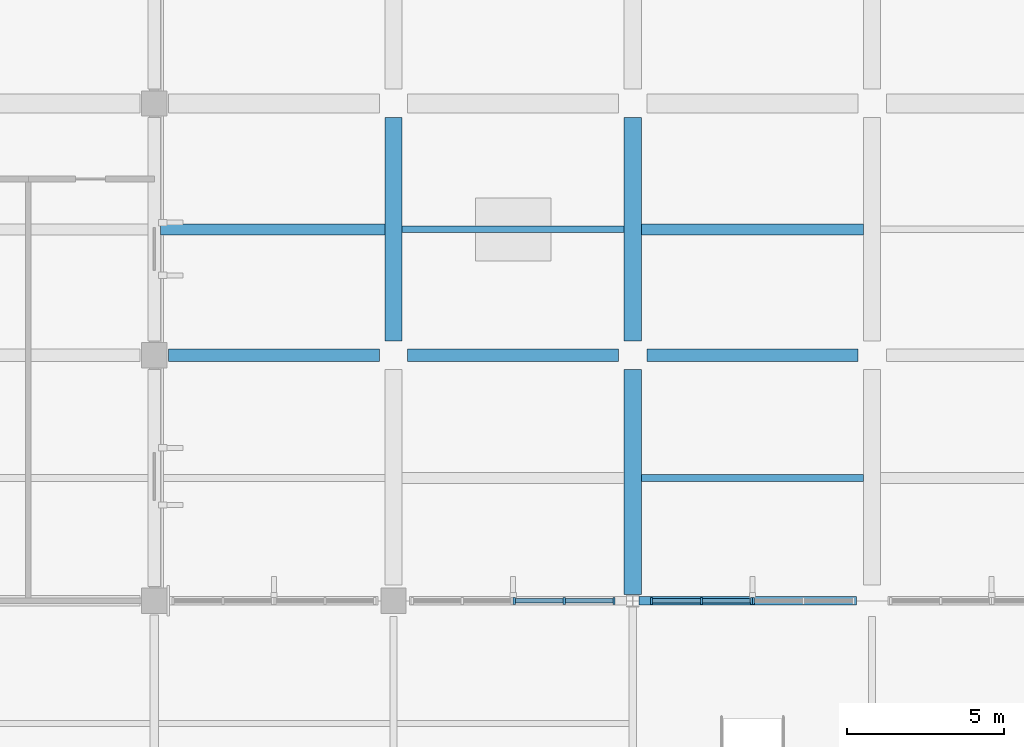
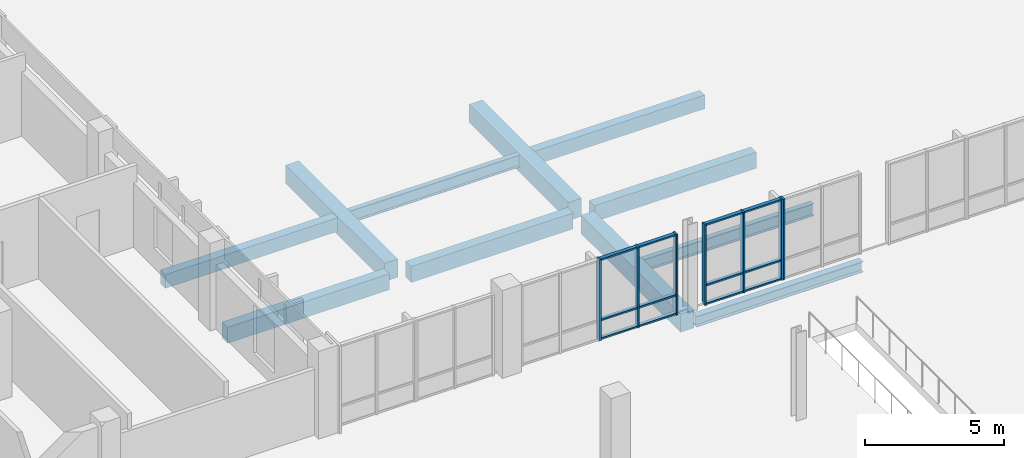
# One storey, part 36 of 85: 19 members, 11 beams, 3 elements without a shape of their own.
"""IFC4 building model written with IfcOpenShell, lengths in metres."""

from ifc_helpers import new_model, si_unit, direction, frame, origin, origin_2d, place, context, subcontext, project, spatial, rectangle, i_section, extrude, material, material_profile, profile_set, type_object, element, aggregate, save


model = new_model("IFC4")

# Units and contexts
model_context = context("Model", 3, precision=1e-05, world=origin(), true_north=direction((0.0, 1.0)))
body_context = subcontext(model_context, "Body", "Model", "MODEL_VIEW")
ifc_project = project(units=[si_unit("LENGTHUNIT", "METRE"), si_unit("AREAUNIT", "SQUARE_METRE"), si_unit("VOLUMEUNIT", "CUBIC_METRE"), si_unit("PLANEANGLEUNIT", "RADIAN"), si_unit("MASSUNIT", "GRAM", prefix="KILO")], contexts=[model_context])

# Site, building, storey
site_placement = place(None, origin())
site = spatial("IfcSite", under=ifc_project, at=site_placement, CompositionType="ELEMENT")
building_placement = place(site_placement, origin())
building = spatial("IfcBuilding", under=site, at=building_placement, Name="Vervanel Yard Central Library", CompositionType="ELEMENT")
storey_placement = place(building_placement, frame((0.0, 0.0, 5.10009765625)))
storey = spatial("IfcBuildingStorey", under=building, at=storey_placement, Name="L01", CompositionType="ELEMENT", Elevation=5.10009765625)

# Beams
ifc_material_1 = material(Name="Concrete C40/50", Category="concrete")
ifc_material_profile_1 = material_profile(ifc_material_1, rectangle(XDim=0.39990234375, YDim=0.699951171875, at=origin_2d()), Name="RC 400x700", Category="concrete")
ifc_profile_set_1 = profile_set([ifc_material_profile_1], Name="Concrete C40/50")
beam_type_1 = type_object("IfcBeamType", Name="Concrete Perimeter Spandrel 400x700", PredefinedType="SPANDREL", material=ifc_profile_set_1)
for number, where, z_axis, x_axis, name in (
    (1, (108.449951171875, 90.0, -0.60498046875), (1.0, 0.0, 0.0), (0.0, 1.0, 0.0), "L01 Girder SP-01 Y=90.0 X=108.0-115.6"),
    (2, (116.050048828125, 90.0, -0.60498046875), (1.0, 0.0, 0.0), (0.0, 1.0, 0.0), "L01 Girder SP-01 Y=90.0 X=115.6-123.2"),
):
    element("IfcBeam", number, at=place(storey_placement, frame(where, z_axis=z_axis, x_axis=x_axis)), inside=storey, type_object=beam_type_1, Name=name, PredefinedType="SPANDREL", context=body_context, shape_type="SweptSolid", body=[
        extrude(rectangle(XDim=0.39990234375, YDim=0.699951171875, at=origin_2d()), origin(), (0.0, 0.0, 1.0), 6.699951171875),
    ])
beam_1_placement = place(storey_placement, frame((123.64990234375, 90.0, -0.60498046875), z_axis=(1.0, 0.0, 0.0), x_axis=(0.0, 1.0, 0.0)))
element("IfcBeam", 3, at=beam_1_placement, inside=storey, type_object=beam_type_1, Name="L01 Girder SP-01 Y=90.0 X=123.2-130.8", PredefinedType="SPANDREL", context=body_context, shape_type="SweptSolid", body=[
    extrude(rectangle(XDim=0.39990234375, YDim=0.699951171875, at=origin_2d()), origin(), (0.0, 0.0, 1.0), 6.7001953125),
])
ifc_material_profile_2 = material_profile(ifc_material_1, rectangle(XDim=0.550048828125, YDim=0.800048828125, at=origin_2d()), Name="RC 550x800", Category="concrete")
ifc_profile_set_2 = profile_set([ifc_material_profile_2], Name="Concrete C40/50")
beam_type_2 = type_object("IfcBeamType", Name="Concrete Primary Girder 550x800", PredefinedType="BEAM", material=ifc_profile_set_2)
beam_2_placement = place(storey_placement, frame((115.60009765625, 90.449951171875, -0.655029296875), z_axis=(0.0, 1.0, 0.0), x_axis=(-1.0, 0.0, 0.0)))
element("IfcBeam", 4, at=beam_2_placement, inside=storey, type_object=beam_type_2, Name="L01 Girder CB-02 X=115.6 Y=90.0-98.0", PredefinedType="BEAM", context=body_context, shape_type="SweptSolid", body=[
    extrude(rectangle(XDim=0.550048828125, YDim=0.800048828125, at=origin_2d()), origin(), (0.0, 0.0, 1.0), 7.10009765625),
])
beam_3_placement = place(storey_placement, frame((123.199951171875, 82.3994140625, -0.655029296875), z_axis=(0.0, 1.0, 0.0), x_axis=(-1.0, 0.0, 0.0)))
element("IfcBeam", 5, at=beam_3_placement, inside=storey, type_object=beam_type_2, Name="L01 Girder CB-02 X=123.2 Y=82.2-90.0", PredefinedType="BEAM", context=body_context, shape_type="SweptSolid", body=[
    extrude(rectangle(XDim=0.550048828125, YDim=0.800048828125, at=origin_2d()), origin(), (0.0, 0.0, 1.0), 7.150634765625),
])
beam_4_placement = place(storey_placement, frame((123.199951171875, 90.449951171875, -0.655029296875), z_axis=(0.0, 1.0, 0.0), x_axis=(-1.0, 0.0, 0.0)))
element("IfcBeam", 6, at=beam_4_placement, inside=storey, type_object=beam_type_2, Name="L01 Girder CB-02 X=123.2 Y=90.0-98.0", PredefinedType="BEAM", context=body_context, shape_type="SweptSolid", body=[
    extrude(rectangle(XDim=0.550048828125, YDim=0.800048828125, at=origin_2d()), origin(), (0.0, 0.0, 1.0), 7.10009765625),
])
ifc_material_profile_3 = material_profile(ifc_material_1, rectangle(XDim=0.35009765625, YDim=0.60009765625, at=origin_2d()), Name="RC 350x600", Category="concrete")
ifc_profile_set_3 = profile_set([ifc_material_profile_3], Name="Concrete C40/50")
beam_type_3 = type_object("IfcBeamType", Name="Concrete Secondary Joist 350x600", PredefinedType="JOIST", material=ifc_profile_set_3)
beam_5_placement = place(storey_placement, frame((108.199951171875, 94.0, -0.60498046875), z_axis=(1.0, 0.0, 0.0), x_axis=(0.0, 1.0, 0.0)))
element("IfcBeam", 7, at=beam_5_placement, inside=storey, type_object=beam_type_3, Name="L01 Floor Joist CJ-01 Y=94.00 X=108.0-115.6", PredefinedType="JOIST", context=body_context, shape_type="SweptSolid", body=[
    extrude(rectangle(XDim=0.35009765625, YDim=0.60009765625, at=origin_2d()), origin(), (0.0, 0.0, 1.0), 7.125),
])
beam_6_placement = place(storey_placement, frame((123.47509765625, 94.0, -0.55517578125), z_axis=(1.0, 0.0, 0.0), x_axis=(0.0, 1.0, 0.0)))
element("IfcBeam", 8, at=beam_6_placement, inside=storey, type_object=beam_type_3, Name="L01 Floor Joist CJ-01 Y=94.00 X=123.2-130.8", PredefinedType="JOIST", context=body_context, shape_type="SweptSolid", body=[
    extrude(rectangle(XDim=0.35009765625, YDim=0.60009765625, at=origin_2d()), origin(), (0.0, 0.0, 1.0), 7.0498046875),
])

# Curtain wall, members
ifc_material_2 = material(Name="Thermally broken anodized aluminium 6063-T6", Category="aluminium")
curtain_wall_type = type_object("IfcCurtainWallType", Name="Reading Hall Full-Height Curtain Wall", PredefinedType="NOTDEFINED", material=ifc_material_2)
curtain_wall_1_placement = place(storey_placement, origin())
curtain_wall_1 = element("IfcCurtainWall", 9, at=curtain_wall_1_placement, inside=storey, type_object=curtain_wall_type, Name="L01 Reading Hall Full-Height Curtain Wall CWR-L01-089", PredefinedType="NOTDEFINED")
ifc_material_profile_4 = material_profile(ifc_material_2, rectangle(XDim=0.070068359375, YDim=0.219970703125, at=origin_2d()), Name="ALU 70x220", Category="aluminium")
ifc_profile_set_4 = profile_set([ifc_material_profile_4], Name="Thermally broken anodized aluminium 6063-T6")
member_type_1 = type_object("IfcMemberType", Name="Reading Hall Deep Mullion 70x220", PredefinedType="MULLION", material=ifc_profile_set_4)
member_1_placement = place(storey_placement, frame((119.43505859375, 82.199951171875, 0.0), z_axis=(0.0, 0.0, 1.0), x_axis=(1.0, 0.0, 0.0)))
member_1 = element("IfcMember", 10, at=member_1_placement, type_object=member_type_1, Name="CWR-L01-089 Mullion 1", PredefinedType="MULLION", context=body_context, shape_type="SweptSolid", body=[
    extrude(rectangle(XDim=0.070068359375, YDim=0.219970703125, at=origin_2d()), origin(), (0.0, 0.0, 1.0), 3.52978515625),
])
member_2_placement = place(storey_placement, frame((121.02001953125, 82.199951171875, 0.0), z_axis=(0.0, 0.0, 1.0), x_axis=(1.0, 0.0, 0.0)))
member_2 = element("IfcMember", 11, at=member_2_placement, type_object=member_type_1, Name="CWR-L01-089 Mullion 2", PredefinedType="MULLION", context=body_context, shape_type="SweptSolid", body=[
    extrude(rectangle(XDim=0.070068359375, YDim=0.219970703125, at=origin_2d()), origin(), (0.0, 0.0, 1.0), 3.52978515625),
])
member_3_placement = place(storey_placement, frame((122.60498046875, 82.199951171875, 0.0), z_axis=(0.0, 0.0, 1.0), x_axis=(1.0, 0.0, 0.0)))
member_3 = element("IfcMember", 12, at=member_3_placement, type_object=member_type_1, Name="CWR-L01-089 Mullion 3", PredefinedType="MULLION", context=body_context, shape_type="SweptSolid", body=[
    extrude(rectangle(XDim=0.070068359375, YDim=0.219970703125, at=origin_2d()), origin(), (0.0, 0.0, 1.0), 3.52978515625),
])

curtain_wall_2_placement = place(storey_placement, origin())
curtain_wall_2 = element("IfcCurtainWall", 13, at=curtain_wall_2_placement, inside=storey, type_object=curtain_wall_type, Name="L01 Reading Hall Full-Height Curtain Wall CWR-L01-090", PredefinedType="NOTDEFINED")
member_4_placement = place(storey_placement, frame((123.794921875, 82.199951171875, 0.0), z_axis=(0.0, 0.0, 1.0), x_axis=(1.0, 0.0, 0.0)))
member_4 = element("IfcMember", 14, at=member_4_placement, type_object=member_type_1, Name="CWR-L01-090 Mullion 1", PredefinedType="MULLION", context=body_context, shape_type="SweptSolid", body=[
    extrude(rectangle(XDim=0.070068359375, YDim=0.219970703125, at=origin_2d()), origin(), (0.0, 0.0, 1.0), 3.52978515625),
])
member_5_placement = place(storey_placement, frame((125.3798828125, 82.199951171875, 0.0), z_axis=(0.0, 0.0, 1.0), x_axis=(1.0, 0.0, 0.0)))
member_5 = element("IfcMember", 15, at=member_5_placement, type_object=member_type_1, Name="CWR-L01-090 Mullion 2", PredefinedType="MULLION", context=body_context, shape_type="SweptSolid", body=[
    extrude(rectangle(XDim=0.070068359375, YDim=0.219970703125, at=origin_2d()), origin(), (0.0, 0.0, 1.0), 3.52978515625),
])
member_6_placement = place(storey_placement, frame((126.965087890625, 82.199951171875, 0.0), z_axis=(0.0, 0.0, 1.0), x_axis=(1.0, 0.0, 0.0)))
member_6 = element("IfcMember", 16, at=member_6_placement, type_object=member_type_1, Name="CWR-L01-090 Mullion 3", PredefinedType="MULLION", context=body_context, shape_type="SweptSolid", body=[
    extrude(rectangle(XDim=0.070068359375, YDim=0.219970703125, at=origin_2d()), origin(), (0.0, 0.0, 1.0), 3.52978515625),
])

# Curtain wall, member
curtain_wall_3_placement = place(storey_placement, origin())
curtain_wall_3 = element("IfcCurtainWall", 17, at=curtain_wall_3_placement, inside=storey, type_object=curtain_wall_type, Name="L01 Reading Hall Full-Height Curtain Wall CWR-L01-091", PredefinedType="NOTDEFINED")
member_7_placement = place(storey_placement, frame((127.034912109375, 82.199951171875, 0.0), z_axis=(0.0, 0.0, 1.0), x_axis=(1.0, 0.0, 0.0)))
member_7 = element("IfcMember", 18, at=member_7_placement, type_object=member_type_1, Name="CWR-L01-091 Mullion 1", PredefinedType="MULLION", context=body_context, shape_type="SweptSolid", body=[
    extrude(rectangle(XDim=0.070068359375, YDim=0.219970703125, at=origin_2d()), origin(), (0.0, 0.0, 1.0), 3.52978515625),
])
aggregate(curtain_wall_3, [member_7])

# Member
ifc_material_profile_5 = material_profile(ifc_material_2, rectangle(XDim=0.070068359375, YDim=0.14990234375, at=origin_2d()), Name="ALU 70x150", Category="aluminium")
ifc_profile_set_5 = profile_set([ifc_material_profile_5], Name="Thermally broken anodized aluminium 6063-T6")
member_type_2 = type_object("IfcMemberType", Name="Reading Hall Deep Transom 70x150", PredefinedType="NOTDEFINED", material=ifc_profile_set_5)
member_8_placement = place(storey_placement, frame((119.469970703125, 82.199951171875, 0.034912109375), z_axis=(1.0, 0.0, 0.0), x_axis=(0.0, 0.0, 1.0)))
member_8 = element("IfcMember", 19, at=member_8_placement, type_object=member_type_2, Name="CWR-L01-089 Transom B1-T1", ObjectType="TRANSOM", PredefinedType="USERDEFINED", context=body_context, shape_type="SweptSolid", body=[
    extrude(rectangle(XDim=0.070068359375, YDim=0.14990234375, at=origin_2d()), origin(), (0.0, 0.0, 1.0), 1.51513671875),
])

member_9_placement = place(storey_placement, frame((119.469970703125, 82.199951171875, 0.849853515625), z_axis=(1.0, 0.0, 0.0), x_axis=(0.0, 0.0, 1.0)))
member_9 = element("IfcMember", 20, at=member_9_placement, type_object=member_type_2, Name="CWR-L01-089 Transom B1-T2", ObjectType="TRANSOM", PredefinedType="USERDEFINED", context=body_context, shape_type="SweptSolid", body=[
    extrude(rectangle(XDim=0.070068359375, YDim=0.14990234375, at=origin_2d()), origin(), (0.0, 0.0, 1.0), 1.51513671875),
])

member_10_placement = place(storey_placement, frame((119.469970703125, 82.199951171875, 3.494873046875), z_axis=(1.0, 0.0, 0.0), x_axis=(0.0, 0.0, 1.0)))
member_10 = element("IfcMember", 21, at=member_10_placement, type_object=member_type_2, Name="CWR-L01-089 Transom B1-T3", ObjectType="TRANSOM", PredefinedType="USERDEFINED", context=body_context, shape_type="SweptSolid", body=[
    extrude(rectangle(XDim=0.070068359375, YDim=0.14990234375, at=origin_2d()), origin(), (0.0, 0.0, 1.0), 1.51513671875),
])

member_11_placement = place(storey_placement, frame((121.054931640625, 82.199951171875, 0.034912109375), z_axis=(1.0, 0.0, 0.0), x_axis=(0.0, 0.0, 1.0)))
member_11 = element("IfcMember", 22, at=member_11_placement, type_object=member_type_2, Name="CWR-L01-089 Transom B2-T1", ObjectType="TRANSOM", PredefinedType="USERDEFINED", context=body_context, shape_type="SweptSolid", body=[
    extrude(rectangle(XDim=0.070068359375, YDim=0.14990234375, at=origin_2d()), origin(), (0.0, 0.0, 1.0), 1.51513671875),
])

member_12_placement = place(storey_placement, frame((121.054931640625, 82.199951171875, 0.849853515625), z_axis=(1.0, 0.0, 0.0), x_axis=(0.0, 0.0, 1.0)))
member_12 = element("IfcMember", 23, at=member_12_placement, type_object=member_type_2, Name="CWR-L01-089 Transom B2-T2", ObjectType="TRANSOM", PredefinedType="USERDEFINED", context=body_context, shape_type="SweptSolid", body=[
    extrude(rectangle(XDim=0.070068359375, YDim=0.14990234375, at=origin_2d()), origin(), (0.0, 0.0, 1.0), 1.51513671875),
])

member_13_placement = place(storey_placement, frame((121.054931640625, 82.199951171875, 3.494873046875), z_axis=(1.0, 0.0, 0.0), x_axis=(0.0, 0.0, 1.0)))
member_13 = element("IfcMember", 24, at=member_13_placement, type_object=member_type_2, Name="CWR-L01-089 Transom B2-T3", ObjectType="TRANSOM", PredefinedType="USERDEFINED", context=body_context, shape_type="SweptSolid", body=[
    extrude(rectangle(XDim=0.070068359375, YDim=0.14990234375, at=origin_2d()), origin(), (0.0, 0.0, 1.0), 1.51513671875),
])

aggregate(curtain_wall_1, [member_1, member_2, member_3, member_8, member_9, member_10, member_11, member_12, member_13])

member_14_placement = place(storey_placement, frame((123.830078125, 82.199951171875, 0.034912109375), z_axis=(1.0, 0.0, 0.0), x_axis=(0.0, 0.0, 1.0)))
member_14 = element("IfcMember", 25, at=member_14_placement, type_object=member_type_2, Name="CWR-L01-090 Transom B1-T1", ObjectType="TRANSOM", PredefinedType="USERDEFINED", context=body_context, shape_type="SweptSolid", body=[
    extrude(rectangle(XDim=0.070068359375, YDim=0.14990234375, at=origin_2d()), origin(), (0.0, 0.0, 1.0), 1.514892578125),
])

member_15_placement = place(storey_placement, frame((123.830078125, 82.199951171875, 0.849853515625), z_axis=(1.0, 0.0, 0.0), x_axis=(0.0, 0.0, 1.0)))
member_15 = element("IfcMember", 26, at=member_15_placement, type_object=member_type_2, Name="CWR-L01-090 Transom B1-T2", ObjectType="TRANSOM", PredefinedType="USERDEFINED", context=body_context, shape_type="SweptSolid", body=[
    extrude(rectangle(XDim=0.070068359375, YDim=0.14990234375, at=origin_2d()), origin(), (0.0, 0.0, 1.0), 1.514892578125),
])

member_16_placement = place(storey_placement, frame((123.830078125, 82.199951171875, 3.494873046875), z_axis=(1.0, 0.0, 0.0), x_axis=(0.0, 0.0, 1.0)))
member_16 = element("IfcMember", 27, at=member_16_placement, type_object=member_type_2, Name="CWR-L01-090 Transom B1-T3", ObjectType="TRANSOM", PredefinedType="USERDEFINED", context=body_context, shape_type="SweptSolid", body=[
    extrude(rectangle(XDim=0.070068359375, YDim=0.14990234375, at=origin_2d()), origin(), (0.0, 0.0, 1.0), 1.514892578125),
])

member_17_placement = place(storey_placement, frame((125.4150390625, 82.199951171875, 0.034912109375), z_axis=(1.0, 0.0, 0.0), x_axis=(0.0, 0.0, 1.0)))
member_17 = element("IfcMember", 28, at=member_17_placement, type_object=member_type_2, Name="CWR-L01-090 Transom B2-T1", ObjectType="TRANSOM", PredefinedType="USERDEFINED", context=body_context, shape_type="SweptSolid", body=[
    extrude(rectangle(XDim=0.070068359375, YDim=0.14990234375, at=origin_2d()), origin(), (0.0, 0.0, 1.0), 1.514892578125),
])

member_18_placement = place(storey_placement, frame((125.4150390625, 82.199951171875, 0.849853515625), z_axis=(1.0, 0.0, 0.0), x_axis=(0.0, 0.0, 1.0)))
member_18 = element("IfcMember", 29, at=member_18_placement, type_object=member_type_2, Name="CWR-L01-090 Transom B2-T2", ObjectType="TRANSOM", PredefinedType="USERDEFINED", context=body_context, shape_type="SweptSolid", body=[
    extrude(rectangle(XDim=0.070068359375, YDim=0.14990234375, at=origin_2d()), origin(), (0.0, 0.0, 1.0), 1.514892578125),
])

member_19_placement = place(storey_placement, frame((125.4150390625, 82.199951171875, 3.494873046875), z_axis=(1.0, 0.0, 0.0), x_axis=(0.0, 0.0, 1.0)))
member_19 = element("IfcMember", 30, at=member_19_placement, type_object=member_type_2, Name="CWR-L01-090 Transom B2-T3", ObjectType="TRANSOM", PredefinedType="USERDEFINED", context=body_context, shape_type="SweptSolid", body=[
    extrude(rectangle(XDim=0.070068359375, YDim=0.14990234375, at=origin_2d()), origin(), (0.0, 0.0, 1.0), 1.514892578125),
])

aggregate(curtain_wall_2, [member_4, member_5, member_6, member_14, member_15, member_16, member_17, member_18, member_19])

# Beams
ifc_material_3 = material(Name="Steel ASTM A992 Grade 50", Category="steel")
ifc_material_profile_6 = material_profile(ifc_material_3, i_section(OverallWidth=0.281982421875, OverallDepth=0.46728515625, WebThickness=0.01220703125, FlangeThickness=0.01953125, at=origin_2d()), Name="W18X86", Category="steel")
ifc_profile_set_6 = profile_set([ifc_material_profile_6], Name="Steel ASTM A992 Grade 50")
beam_type_4 = type_object("IfcBeamType", Name="Steel Spandrel Beam W18X86", PredefinedType="SPANDREL", material=ifc_profile_set_6)
beam_7_placement = place(storey_placement, frame((123.400634765625, 82.199951171875, -0.558837890625), z_axis=(1.0, 0.0, 0.0), x_axis=(0.0, 1.0, 0.0)))
element("IfcBeam", 31, at=beam_7_placement, inside=storey, type_object=beam_type_4, Name="L01 Girder SP-02 Y=82.2 X=123.2-130.8", PredefinedType="SPANDREL", context=body_context, shape_type="SweptSolid", body=[
    extrude(i_section(OverallWidth=0.281982421875, OverallDepth=0.46728515625, WebThickness=0.01220703125, FlangeThickness=0.01953125, at=origin_2d()), origin(), (0.0, 0.0, 1.0), 6.8994140625),
])
ifc_material_profile_7 = material_profile(ifc_material_3, i_section(OverallWidth=0.2099609375, OverallDepth=0.535888671875, WebThickness=0.010986328125, FlangeThickness=0.017333984375, at=origin_2d()), Name="W21X68", Category="steel")
ifc_profile_set_7 = profile_set([ifc_material_profile_7], Name="Steel ASTM A992 Grade 50")
beam_type_5 = type_object("IfcBeamType", Name="Steel Stack Floor Joist W21X68", PredefinedType="JOIST", material=ifc_profile_set_7)
beam_8_placement = place(storey_placement, frame((115.875, 94.0, -0.52294921875), z_axis=(1.0, 0.0, 0.0), x_axis=(0.0, 1.0, 0.0)))
element("IfcBeam", 32, at=beam_8_placement, inside=storey, type_object=beam_type_5, Name="L01 Floor Joist SJ-04 Y=94.00 X=115.6-123.2", PredefinedType="JOIST", context=body_context, shape_type="SweptSolid", body=[
    extrude(i_section(OverallWidth=0.2099609375, OverallDepth=0.535888671875, WebThickness=0.010986328125, FlangeThickness=0.017333984375, at=origin_2d()), origin(), (0.0, 0.0, 1.0), 7.050048828125),
])
beam_9_placement = place(storey_placement, frame((123.47509765625, 86.10009765625, -0.52294921875), z_axis=(1.0, 0.0, 0.0), x_axis=(0.0, 1.0, 0.0)))
element("IfcBeam", 33, at=beam_9_placement, inside=storey, type_object=beam_type_5, Name="L01 Floor Joist SJ-04 Y=86.10 X=123.2-130.8", PredefinedType="JOIST", context=body_context, shape_type="SweptSolid", body=[
    extrude(i_section(OverallWidth=0.2099609375, OverallDepth=0.535888671875, WebThickness=0.010986328125, FlangeThickness=0.017333984375, at=origin_2d()), origin(), (0.0, 0.0, 1.0), 7.0498046875),
])

save(model, "model.ifc")
